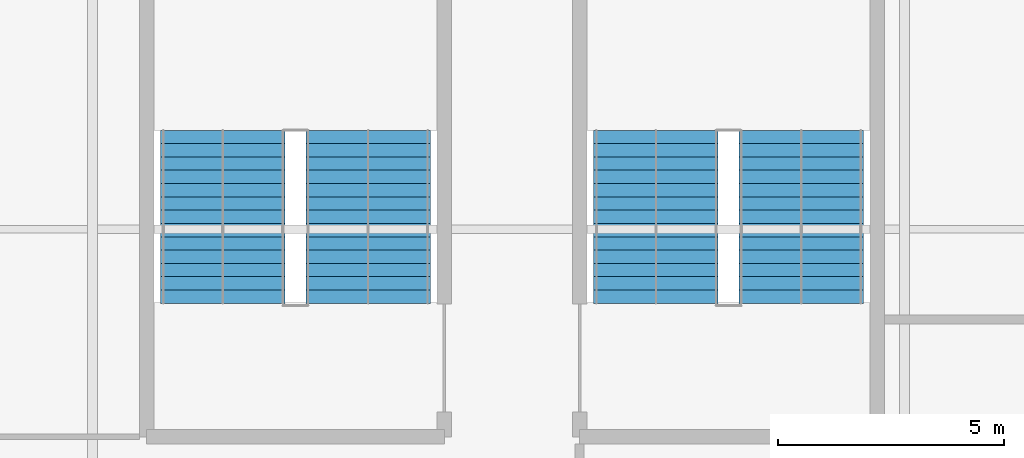
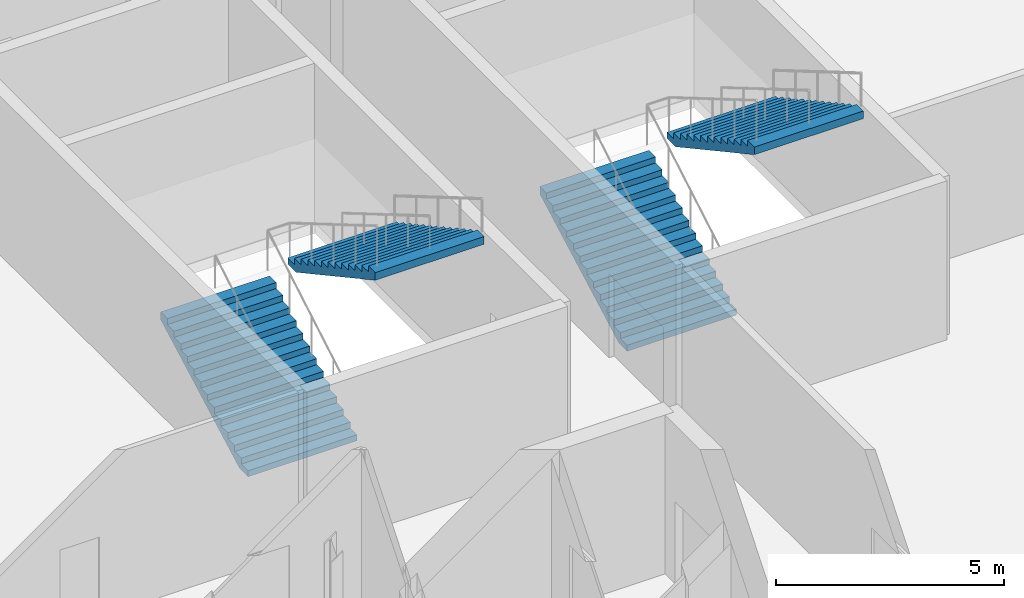
# One storey, part 18 of 28: 4 stair flights, 2 elements without a shape of their own.
"""IFC4 building model written with IfcOpenShell, lengths in metres."""

from ifc_helpers import new_model, si_unit, direction, frame, origin, place, context, subcontext, project, spatial, polygons, material, type_object, element, aggregate, save


model = new_model("IFC4")

# Units and contexts
model_context = context("Model", 3, precision=1e-05, world=origin(), true_north=direction((0.0, 1.0)))
body_context = subcontext(model_context, "Body", "Model", "MODEL_VIEW")
ifc_project = project(units=[si_unit("LENGTHUNIT", "METRE"), si_unit("AREAUNIT", "SQUARE_METRE"), si_unit("VOLUMEUNIT", "CUBIC_METRE"), si_unit("PLANEANGLEUNIT", "RADIAN"), si_unit("MASSUNIT", "GRAM", prefix="KILO")], contexts=[model_context])

# Site, building, storey
site_placement = place(None, origin())
site = spatial("IfcSite", under=ifc_project, at=site_placement, CompositionType="ELEMENT")
building_placement = place(site_placement, origin())
building = spatial("IfcBuilding", under=site, at=building_placement, Name="Kisiwana Market Hall", CompositionType="ELEMENT")
storey_placement = place(building_placement, frame((0.0, 0.0, 49.5)))
storey = spatial("IfcBuildingStorey", under=building, at=storey_placement, Name="L11", CompositionType="ELEMENT", Elevation=49.5)

# Stair, stair flights
ifc_material_1 = material(Name="Concrete C32/40", Category="concrete")
stair_type = type_object("IfcStairType", Name="ST-ESC-4500", PredefinedType="TWO_STRAIGHT_RUN_STAIR", material=ifc_material_1)
stair_1_placement = place(storey_placement, origin())
stair_1 = element("IfcStair", 1, at=stair_1_placement, inside=storey, type_object=stair_type, Name="Escape stair ST-W3-L11", PredefinedType="TWO_STRAIGHT_RUN_STAIR")
ifc_material_2 = material(Name="Concrete C32/40", Category="concrete")
stair_flight_type = type_object("IfcStairFlightType", Name="SF-ESC-4500", PredefinedType="STRAIGHT", material=ifc_material_2)
stair_flight_1_placement = place(storey_placement, frame((11.889892578125, 42.360107421875, 0.0), z_axis=(0.0, 0.0, 1.0), x_axis=(0.0, 1.0, 0.0)))
stair_flight_1 = element("IfcStairFlight", 2, at=stair_flight_1_placement, type_object=stair_flight_type, Name="ST-W3-L11 flight 1", NumberOfRisers=14, NumberOfTreads=13, PredefinedType="STRAIGHT", RiserHeight=0.160714, TreadLength=0.295, context=body_context, shape_type="Tessellation", body=[
    polygons([(0.0, -1.380127, 0.0), (0.0, -0.690125, 0.0), (0.0, -0.000122, 0.0), (0.0, 0.68988, 0.0), (0.0, 1.379883, 0.0), (0.0, -1.380127, 0.160645), (0.0, -0.690125, 0.160645), (0.0, -0.000122, 0.160645), (0.0, 0.68988, 0.160645), (0.0, 1.379883, 0.160645), (0.294922, -1.380127, 0.160645), (0.294922, -0.690125, 0.160645), (0.294922, -0.000122, 0.160645), (0.294922, 0.68988, 0.160645), (0.294922, 1.379883, 0.160645), (0.294922, -1.380127, 0.321533), (0.294922, -0.690125, 0.321533), (0.294922, -0.000122, 0.321533), (0.294922, 0.68988, 0.321533), (0.294922, 1.379883, 0.321533), (0.590088, -1.380127, 0.321533), (0.590088, -0.690125, 0.321533), (0.590088, -0.000122, 0.321533), (0.590088, 0.68988, 0.321533), (0.590088, 1.379883, 0.321533), (0.590088, -1.380127, 0.482178), (0.590088, -0.690125, 0.482178), (0.590088, -0.000122, 0.482178), (0.590088, 0.68988, 0.482178), (0.590088, 1.379883, 0.482178), (0.88501, -1.380127, 0.482178), (0.88501, -0.690125, 0.482178), (0.88501, -0.000122, 0.482178), (0.88501, 0.68988, 0.482178), (0.88501, 1.379883, 0.482178), (0.88501, -1.380127, 0.642822), (0.88501, -0.690125, 0.642822), (0.88501, -0.000122, 0.642822), (0.88501, 0.68988, 0.642822), (0.88501, 1.379883, 0.642822), (1.179932, -1.380127, 0.642822), (1.179932, -0.690125, 0.642822), (1.179932, -0.000122, 0.642822), (1.179932, 0.68988, 0.642822), (1.179932, 1.379883, 0.642822), (1.179932, -1.380127, 0.803467), (1.179932, -0.690125, 0.803467), (1.179932, -0.000122, 0.803467), (1.179932, 0.68988, 0.803467), (1.179932, 1.379883, 0.803467), (1.475098, -1.380127, 0.803467), (1.475098, -0.690125, 0.803467), (1.475098, -0.000122, 0.803467), (1.475098, 0.68988, 0.803467), (1.475098, 1.379883, 0.803467), (1.475098, -1.380127, 0.964355), (1.475098, -0.690125, 0.964355), (1.475098, -0.000122, 0.964355), (1.475098, 0.68988, 0.964355), (1.475098, 1.379883, 0.964355), (1.77002, -1.380127, 0.964355), (1.77002, -0.690125, 0.964355), (1.77002, -0.000122, 0.964355), (1.77002, 0.68988, 0.964355), (1.77002, 1.379883, 0.964355), (1.77002, -1.380127, 1.125), (1.77002, -0.690125, 1.125), (1.77002, -0.000122, 1.125), (1.77002, 0.68988, 1.125), (1.77002, 1.379883, 1.125), (2.064941, -1.380127, 1.125), (2.064941, -0.690125, 1.125), (2.064941, -0.000122, 1.125), (2.064941, 0.68988, 1.125), (2.064941, 1.379883, 1.125), (2.064941, -1.380127, 1.285645), (2.064941, -0.690125, 1.285645), (2.064941, -0.000122, 1.285645), (2.064941, 0.68988, 1.285645), (2.064941, 1.379883, 1.285645), (2.360107, -1.380127, 1.285645), (2.360107, -0.690125, 1.285645), (2.360107, -0.000122, 1.285645), (2.360107, 0.68988, 1.285645), (2.360107, 1.379883, 1.285645), (2.360107, -1.380127, 1.446533), (2.360107, -0.690125, 1.446533), (2.360107, -0.000122, 1.446533), (2.360107, 0.68988, 1.446533), (2.360107, 1.379883, 1.446533), (2.655029, -1.380127, 1.446533), (2.655029, -0.690125, 1.446533), (2.655029, -0.000122, 1.446533), (2.655029, 0.68988, 1.446533), (2.655029, 1.379883, 1.446533), (2.655029, -1.380127, 1.607178), (2.655029, -0.690125, 1.607178), (2.655029, -0.000122, 1.607178), (2.655029, 0.68988, 1.607178), (2.655029, 1.379883, 1.607178), (2.949951, -1.380127, 1.607178), (2.949951, -0.690125, 1.607178), (2.949951, -0.000122, 1.607178), (2.949951, 0.68988, 1.607178), (2.949951, 1.379883, 1.607178), (2.949951, -1.380127, 1.767822), (2.949951, -0.690125, 1.767822), (2.949951, -0.000122, 1.767822), (2.949951, 0.68988, 1.767822), (2.949951, 1.379883, 1.767822), (3.245117, -1.380127, 1.767822), (3.245117, -0.690125, 1.767822), (3.245117, -0.000122, 1.767822), (3.245117, 0.68988, 1.767822), (3.245117, 1.379883, 1.767822), (3.245117, -1.380127, 1.928467), (3.245117, -0.690125, 1.928467), (3.245117, -0.000122, 1.928467), (3.245117, 0.68988, 1.928467), (3.245117, 1.379883, 1.928467), (3.540039, -1.380127, 1.928467), (3.540039, -0.690125, 1.928467), (3.540039, -0.000122, 1.928467), (3.540039, 0.68988, 1.928467), (3.540039, 1.379883, 1.928467), (3.540039, -1.380127, 2.089355), (3.540039, -0.690125, 2.089355), (3.540039, -0.000122, 2.089355), (3.540039, 0.68988, 2.089355), (3.540039, 1.379883, 2.089355), (3.834961, -1.380127, 2.089355), (3.834961, -0.690125, 2.089355), (3.834961, -0.000122, 2.089355), (3.834961, 0.68988, 2.089355), (3.834961, 1.379883, 2.089355), (3.834961, -1.380127, 1.884277), (3.834961, -0.690125, 1.884277), (3.834961, -0.000122, 1.884277), (3.834961, 0.68988, 1.884277), (3.834961, 1.379883, 1.884277), (0.376221, -1.380127, 0.0), (0.376221, -0.690125, 0.0), (0.376221, -0.000122, 0.0), (0.376221, 0.68988, 0.0), (0.376221, 1.379883, 0.0)], [[[1, 6, 7, 2]], [[2, 7, 8, 3]], [[3, 8, 9, 4]], [[4, 9, 10, 5]], [[6, 11, 12, 7]], [[7, 12, 13, 8]], [[8, 13, 14, 9]], [[9, 14, 15, 10]], [[11, 16, 17, 12]], [[12, 17, 18, 13]], [[13, 18, 19, 14]], [[14, 19, 20, 15]], [[16, 21, 22, 17]], [[17, 22, 23, 18]], [[18, 23, 24, 19]], [[19, 24, 25, 20]], [[21, 26, 27, 22]], [[22, 27, 28, 23]], [[23, 28, 29, 24]], [[24, 29, 30, 25]], [[26, 31, 32, 27]], [[27, 32, 33, 28]], [[28, 33, 34, 29]], [[29, 34, 35, 30]], [[31, 36, 37, 32]], [[32, 37, 38, 33]], [[33, 38, 39, 34]], [[34, 39, 40, 35]], [[36, 41, 42, 37]], [[37, 42, 43, 38]], [[38, 43, 44, 39]], [[39, 44, 45, 40]], [[41, 46, 47, 42]], [[42, 47, 48, 43]], [[43, 48, 49, 44]], [[44, 49, 50, 45]], [[46, 51, 52, 47]], [[47, 52, 53, 48]], [[48, 53, 54, 49]], [[49, 54, 55, 50]], [[51, 56, 57, 52]], [[52, 57, 58, 53]], [[53, 58, 59, 54]], [[54, 59, 60, 55]], [[56, 61, 62, 57]], [[57, 62, 63, 58]], [[58, 63, 64, 59]], [[59, 64, 65, 60]], [[61, 66, 67, 62]], [[62, 67, 68, 63]], [[63, 68, 69, 64]], [[64, 69, 70, 65]], [[66, 71, 72, 67]], [[67, 72, 73, 68]], [[68, 73, 74, 69]], [[69, 74, 75, 70]], [[71, 76, 77, 72]], [[72, 77, 78, 73]], [[73, 78, 79, 74]], [[74, 79, 80, 75]], [[76, 81, 82, 77]], [[77, 82, 83, 78]], [[78, 83, 84, 79]], [[79, 84, 85, 80]], [[81, 86, 87, 82]], [[82, 87, 88, 83]], [[83, 88, 89, 84]], [[84, 89, 90, 85]], [[86, 91, 92, 87]], [[87, 92, 93, 88]], [[88, 93, 94, 89]], [[89, 94, 95, 90]], [[91, 96, 97, 92]], [[92, 97, 98, 93]], [[93, 98, 99, 94]], [[94, 99, 100, 95]], [[96, 101, 102, 97]], [[97, 102, 103, 98]], [[98, 103, 104, 99]], [[99, 104, 105, 100]], [[101, 106, 107, 102]], [[102, 107, 108, 103]], [[103, 108, 109, 104]], [[104, 109, 110, 105]], [[106, 111, 112, 107]], [[107, 112, 113, 108]], [[108, 113, 114, 109]], [[109, 114, 115, 110]], [[111, 116, 117, 112]], [[112, 117, 118, 113]], [[113, 118, 119, 114]], [[114, 119, 120, 115]], [[116, 121, 122, 117]], [[117, 122, 123, 118]], [[118, 123, 124, 119]], [[119, 124, 125, 120]], [[121, 126, 127, 122]], [[122, 127, 128, 123]], [[123, 128, 129, 124]], [[124, 129, 130, 125]], [[126, 131, 132, 127]], [[127, 132, 133, 128]], [[128, 133, 134, 129]], [[129, 134, 135, 130]], [[131, 136, 137, 132]], [[132, 137, 138, 133]], [[133, 138, 139, 134]], [[134, 139, 140, 135]], [[136, 141, 142, 137]], [[137, 142, 143, 138]], [[138, 143, 144, 139]], [[139, 144, 145, 140]], [[141, 1, 2, 142]], [[142, 2, 3, 143]], [[143, 3, 4, 144]], [[144, 4, 5, 145]], [[141, 136, 131, 126, 121, 116, 111, 106, 101, 96, 91, 86, 81, 76, 71, 66, 61, 56, 51, 46, 41, 36, 31, 26, 21, 16, 11, 6, 1]], [[5, 10, 15, 20, 25, 30, 35, 40, 45, 50, 55, 60, 65, 70, 75, 80, 85, 90, 95, 100, 105, 110, 115, 120, 125, 130, 135, 140, 145]]], closed=True),
])
stair_flight_2_placement = place(storey_placement, frame((15.110107421875, 46.195068359375, 2.25), z_axis=(0.0, 0.0, 1.0), x_axis=(0.0, -1.0, 0.0)))
stair_flight_2 = element("IfcStairFlight", 3, at=stair_flight_2_placement, type_object=stair_flight_type, Name="ST-W3-L11 flight 2", NumberOfRisers=14, NumberOfTreads=13, PredefinedType="STRAIGHT", RiserHeight=0.160714, TreadLength=0.295, context=body_context, shape_type="Tessellation", body=[
    polygons([(0.0, -1.380127, 0.0), (0.0, -0.690125, 0.0), (0.0, -0.000122, 0.0), (0.0, 0.68988, 0.0), (0.0, 1.379883, 0.0), (0.0, -1.380127, 0.160645), (0.0, -0.690125, 0.160645), (0.0, -0.000122, 0.160645), (0.0, 0.68988, 0.160645), (0.0, 1.379883, 0.160645), (0.294922, -1.380127, 0.160645), (0.294922, -0.690125, 0.160645), (0.294922, -0.000122, 0.160645), (0.294922, 0.68988, 0.160645), (0.294922, 1.379883, 0.160645), (0.294922, -1.380127, 0.321533), (0.294922, -0.690125, 0.321533), (0.294922, -0.000122, 0.321533), (0.294922, 0.68988, 0.321533), (0.294922, 1.379883, 0.321533), (0.590088, -1.380127, 0.321533), (0.590088, -0.690125, 0.321533), (0.590088, -0.000122, 0.321533), (0.590088, 0.68988, 0.321533), (0.590088, 1.379883, 0.321533), (0.590088, -1.380127, 0.482178), (0.590088, -0.690125, 0.482178), (0.590088, -0.000122, 0.482178), (0.590088, 0.68988, 0.482178), (0.590088, 1.379883, 0.482178), (0.88501, -1.380127, 0.482178), (0.88501, -0.690125, 0.482178), (0.88501, -0.000122, 0.482178), (0.88501, 0.68988, 0.482178), (0.88501, 1.379883, 0.482178), (0.88501, -1.380127, 0.642822), (0.88501, -0.690125, 0.642822), (0.88501, -0.000122, 0.642822), (0.88501, 0.68988, 0.642822), (0.88501, 1.379883, 0.642822), (1.179932, -1.380127, 0.642822), (1.179932, -0.690125, 0.642822), (1.179932, -0.000122, 0.642822), (1.179932, 0.68988, 0.642822), (1.179932, 1.379883, 0.642822), (1.179932, -1.380127, 0.803467), (1.179932, -0.690125, 0.803467), (1.179932, -0.000122, 0.803467), (1.179932, 0.68988, 0.803467), (1.179932, 1.379883, 0.803467), (1.475098, -1.380127, 0.803467), (1.475098, -0.690125, 0.803467), (1.475098, -0.000122, 0.803467), (1.475098, 0.68988, 0.803467), (1.475098, 1.379883, 0.803467), (1.475098, -1.380127, 0.964355), (1.475098, -0.690125, 0.964355), (1.475098, -0.000122, 0.964355), (1.475098, 0.68988, 0.964355), (1.475098, 1.379883, 0.964355), (1.77002, -1.380127, 0.964355), (1.77002, -0.690125, 0.964355), (1.77002, -0.000122, 0.964355), (1.77002, 0.68988, 0.964355), (1.77002, 1.379883, 0.964355), (1.77002, -1.380127, 1.125), (1.77002, -0.690125, 1.125), (1.77002, -0.000122, 1.125), (1.77002, 0.68988, 1.125), (1.77002, 1.379883, 1.125), (2.064941, -1.380127, 1.125), (2.064941, -0.690125, 1.125), (2.064941, -0.000122, 1.125), (2.064941, 0.68988, 1.125), (2.064941, 1.379883, 1.125), (2.064941, -1.380127, 1.285645), (2.064941, -0.690125, 1.285645), (2.064941, -0.000122, 1.285645), (2.064941, 0.68988, 1.285645), (2.064941, 1.379883, 1.285645), (2.360107, -1.380127, 1.285645), (2.360107, -0.690125, 1.285645), (2.360107, -0.000122, 1.285645), (2.360107, 0.68988, 1.285645), (2.360107, 1.379883, 1.285645), (2.360107, -1.380127, 1.446533), (2.360107, -0.690125, 1.446533), (2.360107, -0.000122, 1.446533), (2.360107, 0.68988, 1.446533), (2.360107, 1.379883, 1.446533), (2.655029, -1.380127, 1.446533), (2.655029, -0.690125, 1.446533), (2.655029, -0.000122, 1.446533), (2.655029, 0.68988, 1.446533), (2.655029, 1.379883, 1.446533), (2.655029, -1.380127, 1.607178), (2.655029, -0.690125, 1.607178), (2.655029, -0.000122, 1.607178), (2.655029, 0.68988, 1.607178), (2.655029, 1.379883, 1.607178), (2.949951, -1.380127, 1.607178), (2.949951, -0.690125, 1.607178), (2.949951, -0.000122, 1.607178), (2.949951, 0.68988, 1.607178), (2.949951, 1.379883, 1.607178), (2.949951, -1.380127, 1.767822), (2.949951, -0.690125, 1.767822), (2.949951, -0.000122, 1.767822), (2.949951, 0.68988, 1.767822), (2.949951, 1.379883, 1.767822), (3.245117, -1.380127, 1.767822), (3.245117, -0.690125, 1.767822), (3.245117, -0.000122, 1.767822), (3.245117, 0.68988, 1.767822), (3.245117, 1.379883, 1.767822), (3.245117, -1.380127, 1.928467), (3.245117, -0.690125, 1.928467), (3.245117, -0.000122, 1.928467), (3.245117, 0.68988, 1.928467), (3.245117, 1.379883, 1.928467), (3.540039, -1.380127, 1.928467), (3.540039, -0.690125, 1.928467), (3.540039, -0.000122, 1.928467), (3.540039, 0.68988, 1.928467), (3.540039, 1.379883, 1.928467), (3.540039, -1.380127, 2.089355), (3.540039, -0.690125, 2.089355), (3.540039, -0.000122, 2.089355), (3.540039, 0.68988, 2.089355), (3.540039, 1.379883, 2.089355), (3.834961, -1.380127, 2.089355), (3.834961, -0.690125, 2.089355), (3.834961, -0.000122, 2.089355), (3.834961, 0.68988, 2.089355), (3.834961, 1.379883, 2.089355), (3.834961, -1.380127, 1.884277), (3.834961, -0.690125, 1.884277), (3.834961, -0.000122, 1.884277), (3.834961, 0.68988, 1.884277), (3.834961, 1.379883, 1.884277), (0.376221, -1.380127, 0.0), (0.376221, -0.690125, 0.0), (0.376221, -0.000122, 0.0), (0.376221, 0.68988, 0.0), (0.376221, 1.379883, 0.0)], [[[1, 6, 7, 2]], [[2, 7, 8, 3]], [[3, 8, 9, 4]], [[4, 9, 10, 5]], [[6, 11, 12, 7]], [[7, 12, 13, 8]], [[8, 13, 14, 9]], [[9, 14, 15, 10]], [[11, 16, 17, 12]], [[12, 17, 18, 13]], [[13, 18, 19, 14]], [[14, 19, 20, 15]], [[16, 21, 22, 17]], [[17, 22, 23, 18]], [[18, 23, 24, 19]], [[19, 24, 25, 20]], [[21, 26, 27, 22]], [[22, 27, 28, 23]], [[23, 28, 29, 24]], [[24, 29, 30, 25]], [[26, 31, 32, 27]], [[27, 32, 33, 28]], [[28, 33, 34, 29]], [[29, 34, 35, 30]], [[31, 36, 37, 32]], [[32, 37, 38, 33]], [[33, 38, 39, 34]], [[34, 39, 40, 35]], [[36, 41, 42, 37]], [[37, 42, 43, 38]], [[38, 43, 44, 39]], [[39, 44, 45, 40]], [[41, 46, 47, 42]], [[42, 47, 48, 43]], [[43, 48, 49, 44]], [[44, 49, 50, 45]], [[46, 51, 52, 47]], [[47, 52, 53, 48]], [[48, 53, 54, 49]], [[49, 54, 55, 50]], [[51, 56, 57, 52]], [[52, 57, 58, 53]], [[53, 58, 59, 54]], [[54, 59, 60, 55]], [[56, 61, 62, 57]], [[57, 62, 63, 58]], [[58, 63, 64, 59]], [[59, 64, 65, 60]], [[61, 66, 67, 62]], [[62, 67, 68, 63]], [[63, 68, 69, 64]], [[64, 69, 70, 65]], [[66, 71, 72, 67]], [[67, 72, 73, 68]], [[68, 73, 74, 69]], [[69, 74, 75, 70]], [[71, 76, 77, 72]], [[72, 77, 78, 73]], [[73, 78, 79, 74]], [[74, 79, 80, 75]], [[76, 81, 82, 77]], [[77, 82, 83, 78]], [[78, 83, 84, 79]], [[79, 84, 85, 80]], [[81, 86, 87, 82]], [[82, 87, 88, 83]], [[83, 88, 89, 84]], [[84, 89, 90, 85]], [[86, 91, 92, 87]], [[87, 92, 93, 88]], [[88, 93, 94, 89]], [[89, 94, 95, 90]], [[91, 96, 97, 92]], [[92, 97, 98, 93]], [[93, 98, 99, 94]], [[94, 99, 100, 95]], [[96, 101, 102, 97]], [[97, 102, 103, 98]], [[98, 103, 104, 99]], [[99, 104, 105, 100]], [[101, 106, 107, 102]], [[102, 107, 108, 103]], [[103, 108, 109, 104]], [[104, 109, 110, 105]], [[106, 111, 112, 107]], [[107, 112, 113, 108]], [[108, 113, 114, 109]], [[109, 114, 115, 110]], [[111, 116, 117, 112]], [[112, 117, 118, 113]], [[113, 118, 119, 114]], [[114, 119, 120, 115]], [[116, 121, 122, 117]], [[117, 122, 123, 118]], [[118, 123, 124, 119]], [[119, 124, 125, 120]], [[121, 126, 127, 122]], [[122, 127, 128, 123]], [[123, 128, 129, 124]], [[124, 129, 130, 125]], [[126, 131, 132, 127]], [[127, 132, 133, 128]], [[128, 133, 134, 129]], [[129, 134, 135, 130]], [[131, 136, 137, 132]], [[132, 137, 138, 133]], [[133, 138, 139, 134]], [[134, 139, 140, 135]], [[136, 141, 142, 137]], [[137, 142, 143, 138]], [[138, 143, 144, 139]], [[139, 144, 145, 140]], [[141, 1, 2, 142]], [[142, 2, 3, 143]], [[143, 3, 4, 144]], [[144, 4, 5, 145]], [[141, 136, 131, 126, 121, 116, 111, 106, 101, 96, 91, 86, 81, 76, 71, 66, 61, 56, 51, 46, 41, 36, 31, 26, 21, 16, 11, 6, 1]], [[5, 10, 15, 20, 25, 30, 35, 40, 45, 50, 55, 60, 65, 70, 75, 80, 85, 90, 95, 100, 105, 110, 115, 120, 125, 130, 135, 140, 145]]], closed=True),
])
aggregate(stair_1, [stair_flight_1, stair_flight_2])

stair_2_placement = place(storey_placement, origin())
stair_2 = element("IfcStair", 4, at=stair_2_placement, inside=storey, type_object=stair_type, Name="Escape stair ST-W7-L11", PredefinedType="TWO_STRAIGHT_RUN_STAIR")
stair_flight_3_placement = place(storey_placement, frame((21.489990234375, 42.360107421875, 0.0), z_axis=(0.0, 0.0, 1.0), x_axis=(0.0, 1.0, 0.0)))
stair_flight_3 = element("IfcStairFlight", 5, at=stair_flight_3_placement, type_object=stair_flight_type, Name="ST-W7-L11 flight 1", NumberOfRisers=14, NumberOfTreads=13, PredefinedType="STRAIGHT", RiserHeight=0.160714, TreadLength=0.295, context=body_context, shape_type="Tessellation", body=[
    polygons([(0.0, -1.380127, 0.0), (0.0, -0.690125, 0.0), (0.0, -0.000122, 0.0), (0.0, 0.68988, 0.0), (0.0, 1.379883, 0.0), (0.0, -1.380127, 0.160645), (0.0, -0.690125, 0.160645), (0.0, -0.000122, 0.160645), (0.0, 0.68988, 0.160645), (0.0, 1.379883, 0.160645), (0.294922, -1.380127, 0.160645), (0.294922, -0.690125, 0.160645), (0.294922, -0.000122, 0.160645), (0.294922, 0.68988, 0.160645), (0.294922, 1.379883, 0.160645), (0.294922, -1.380127, 0.321533), (0.294922, -0.690125, 0.321533), (0.294922, -0.000122, 0.321533), (0.294922, 0.68988, 0.321533), (0.294922, 1.379883, 0.321533), (0.590088, -1.380127, 0.321533), (0.590088, -0.690125, 0.321533), (0.590088, -0.000122, 0.321533), (0.590088, 0.68988, 0.321533), (0.590088, 1.379883, 0.321533), (0.590088, -1.380127, 0.482178), (0.590088, -0.690125, 0.482178), (0.590088, -0.000122, 0.482178), (0.590088, 0.68988, 0.482178), (0.590088, 1.379883, 0.482178), (0.88501, -1.380127, 0.482178), (0.88501, -0.690125, 0.482178), (0.88501, -0.000122, 0.482178), (0.88501, 0.68988, 0.482178), (0.88501, 1.379883, 0.482178), (0.88501, -1.380127, 0.642822), (0.88501, -0.690125, 0.642822), (0.88501, -0.000122, 0.642822), (0.88501, 0.68988, 0.642822), (0.88501, 1.379883, 0.642822), (1.179932, -1.380127, 0.642822), (1.179932, -0.690125, 0.642822), (1.179932, -0.000122, 0.642822), (1.179932, 0.68988, 0.642822), (1.179932, 1.379883, 0.642822), (1.179932, -1.380127, 0.803467), (1.179932, -0.690125, 0.803467), (1.179932, -0.000122, 0.803467), (1.179932, 0.68988, 0.803467), (1.179932, 1.379883, 0.803467), (1.475098, -1.380127, 0.803467), (1.475098, -0.690125, 0.803467), (1.475098, -0.000122, 0.803467), (1.475098, 0.68988, 0.803467), (1.475098, 1.379883, 0.803467), (1.475098, -1.380127, 0.964355), (1.475098, -0.690125, 0.964355), (1.475098, -0.000122, 0.964355), (1.475098, 0.68988, 0.964355), (1.475098, 1.379883, 0.964355), (1.77002, -1.380127, 0.964355), (1.77002, -0.690125, 0.964355), (1.77002, -0.000122, 0.964355), (1.77002, 0.68988, 0.964355), (1.77002, 1.379883, 0.964355), (1.77002, -1.380127, 1.125), (1.77002, -0.690125, 1.125), (1.77002, -0.000122, 1.125), (1.77002, 0.68988, 1.125), (1.77002, 1.379883, 1.125), (2.064941, -1.380127, 1.125), (2.064941, -0.690125, 1.125), (2.064941, -0.000122, 1.125), (2.064941, 0.68988, 1.125), (2.064941, 1.379883, 1.125), (2.064941, -1.380127, 1.285645), (2.064941, -0.690125, 1.285645), (2.064941, -0.000122, 1.285645), (2.064941, 0.68988, 1.285645), (2.064941, 1.379883, 1.285645), (2.360107, -1.380127, 1.285645), (2.360107, -0.690125, 1.285645), (2.360107, -0.000122, 1.285645), (2.360107, 0.68988, 1.285645), (2.360107, 1.379883, 1.285645), (2.360107, -1.380127, 1.446533), (2.360107, -0.690125, 1.446533), (2.360107, -0.000122, 1.446533), (2.360107, 0.68988, 1.446533), (2.360107, 1.379883, 1.446533), (2.655029, -1.380127, 1.446533), (2.655029, -0.690125, 1.446533), (2.655029, -0.000122, 1.446533), (2.655029, 0.68988, 1.446533), (2.655029, 1.379883, 1.446533), (2.655029, -1.380127, 1.607178), (2.655029, -0.690125, 1.607178), (2.655029, -0.000122, 1.607178), (2.655029, 0.68988, 1.607178), (2.655029, 1.379883, 1.607178), (2.949951, -1.380127, 1.607178), (2.949951, -0.690125, 1.607178), (2.949951, -0.000122, 1.607178), (2.949951, 0.68988, 1.607178), (2.949951, 1.379883, 1.607178), (2.949951, -1.380127, 1.767822), (2.949951, -0.690125, 1.767822), (2.949951, -0.000122, 1.767822), (2.949951, 0.68988, 1.767822), (2.949951, 1.379883, 1.767822), (3.245117, -1.380127, 1.767822), (3.245117, -0.690125, 1.767822), (3.245117, -0.000122, 1.767822), (3.245117, 0.68988, 1.767822), (3.245117, 1.379883, 1.767822), (3.245117, -1.380127, 1.928467), (3.245117, -0.690125, 1.928467), (3.245117, -0.000122, 1.928467), (3.245117, 0.68988, 1.928467), (3.245117, 1.379883, 1.928467), (3.540039, -1.380127, 1.928467), (3.540039, -0.690125, 1.928467), (3.540039, -0.000122, 1.928467), (3.540039, 0.68988, 1.928467), (3.540039, 1.379883, 1.928467), (3.540039, -1.380127, 2.089355), (3.540039, -0.690125, 2.089355), (3.540039, -0.000122, 2.089355), (3.540039, 0.68988, 2.089355), (3.540039, 1.379883, 2.089355), (3.834961, -1.380127, 2.089355), (3.834961, -0.690125, 2.089355), (3.834961, -0.000122, 2.089355), (3.834961, 0.68988, 2.089355), (3.834961, 1.379883, 2.089355), (3.834961, -1.380127, 1.884277), (3.834961, -0.690125, 1.884277), (3.834961, -0.000122, 1.884277), (3.834961, 0.68988, 1.884277), (3.834961, 1.379883, 1.884277), (0.376221, -1.380127, 0.0), (0.376221, -0.690125, 0.0), (0.376221, -0.000122, 0.0), (0.376221, 0.68988, 0.0), (0.376221, 1.379883, 0.0)], [[[1, 6, 7, 2]], [[2, 7, 8, 3]], [[3, 8, 9, 4]], [[4, 9, 10, 5]], [[6, 11, 12, 7]], [[7, 12, 13, 8]], [[8, 13, 14, 9]], [[9, 14, 15, 10]], [[11, 16, 17, 12]], [[12, 17, 18, 13]], [[13, 18, 19, 14]], [[14, 19, 20, 15]], [[16, 21, 22, 17]], [[17, 22, 23, 18]], [[18, 23, 24, 19]], [[19, 24, 25, 20]], [[21, 26, 27, 22]], [[22, 27, 28, 23]], [[23, 28, 29, 24]], [[24, 29, 30, 25]], [[26, 31, 32, 27]], [[27, 32, 33, 28]], [[28, 33, 34, 29]], [[29, 34, 35, 30]], [[31, 36, 37, 32]], [[32, 37, 38, 33]], [[33, 38, 39, 34]], [[34, 39, 40, 35]], [[36, 41, 42, 37]], [[37, 42, 43, 38]], [[38, 43, 44, 39]], [[39, 44, 45, 40]], [[41, 46, 47, 42]], [[42, 47, 48, 43]], [[43, 48, 49, 44]], [[44, 49, 50, 45]], [[46, 51, 52, 47]], [[47, 52, 53, 48]], [[48, 53, 54, 49]], [[49, 54, 55, 50]], [[51, 56, 57, 52]], [[52, 57, 58, 53]], [[53, 58, 59, 54]], [[54, 59, 60, 55]], [[56, 61, 62, 57]], [[57, 62, 63, 58]], [[58, 63, 64, 59]], [[59, 64, 65, 60]], [[61, 66, 67, 62]], [[62, 67, 68, 63]], [[63, 68, 69, 64]], [[64, 69, 70, 65]], [[66, 71, 72, 67]], [[67, 72, 73, 68]], [[68, 73, 74, 69]], [[69, 74, 75, 70]], [[71, 76, 77, 72]], [[72, 77, 78, 73]], [[73, 78, 79, 74]], [[74, 79, 80, 75]], [[76, 81, 82, 77]], [[77, 82, 83, 78]], [[78, 83, 84, 79]], [[79, 84, 85, 80]], [[81, 86, 87, 82]], [[82, 87, 88, 83]], [[83, 88, 89, 84]], [[84, 89, 90, 85]], [[86, 91, 92, 87]], [[87, 92, 93, 88]], [[88, 93, 94, 89]], [[89, 94, 95, 90]], [[91, 96, 97, 92]], [[92, 97, 98, 93]], [[93, 98, 99, 94]], [[94, 99, 100, 95]], [[96, 101, 102, 97]], [[97, 102, 103, 98]], [[98, 103, 104, 99]], [[99, 104, 105, 100]], [[101, 106, 107, 102]], [[102, 107, 108, 103]], [[103, 108, 109, 104]], [[104, 109, 110, 105]], [[106, 111, 112, 107]], [[107, 112, 113, 108]], [[108, 113, 114, 109]], [[109, 114, 115, 110]], [[111, 116, 117, 112]], [[112, 117, 118, 113]], [[113, 118, 119, 114]], [[114, 119, 120, 115]], [[116, 121, 122, 117]], [[117, 122, 123, 118]], [[118, 123, 124, 119]], [[119, 124, 125, 120]], [[121, 126, 127, 122]], [[122, 127, 128, 123]], [[123, 128, 129, 124]], [[124, 129, 130, 125]], [[126, 131, 132, 127]], [[127, 132, 133, 128]], [[128, 133, 134, 129]], [[129, 134, 135, 130]], [[131, 136, 137, 132]], [[132, 137, 138, 133]], [[133, 138, 139, 134]], [[134, 139, 140, 135]], [[136, 141, 142, 137]], [[137, 142, 143, 138]], [[138, 143, 144, 139]], [[139, 144, 145, 140]], [[141, 1, 2, 142]], [[142, 2, 3, 143]], [[143, 3, 4, 144]], [[144, 4, 5, 145]], [[141, 136, 131, 126, 121, 116, 111, 106, 101, 96, 91, 86, 81, 76, 71, 66, 61, 56, 51, 46, 41, 36, 31, 26, 21, 16, 11, 6, 1]], [[5, 10, 15, 20, 25, 30, 35, 40, 45, 50, 55, 60, 65, 70, 75, 80, 85, 90, 95, 100, 105, 110, 115, 120, 125, 130, 135, 140, 145]]], closed=True),
])
stair_flight_4_placement = place(storey_placement, frame((24.7099609375, 46.195068359375, 2.25), z_axis=(0.0, 0.0, 1.0), x_axis=(0.0, -1.0, 0.0)))
stair_flight_4 = element("IfcStairFlight", 6, at=stair_flight_4_placement, type_object=stair_flight_type, Name="ST-W7-L11 flight 2", NumberOfRisers=14, NumberOfTreads=13, PredefinedType="STRAIGHT", RiserHeight=0.160714, TreadLength=0.295, context=body_context, shape_type="Tessellation", body=[
    polygons([(0.0, -1.380127, 0.0), (0.0, -0.690125, 0.0), (0.0, -0.000122, 0.0), (0.0, 0.68988, 0.0), (0.0, 1.379883, 0.0), (0.0, -1.380127, 0.160645), (0.0, -0.690125, 0.160645), (0.0, -0.000122, 0.160645), (0.0, 0.68988, 0.160645), (0.0, 1.379883, 0.160645), (0.294922, -1.380127, 0.160645), (0.294922, -0.690125, 0.160645), (0.294922, -0.000122, 0.160645), (0.294922, 0.68988, 0.160645), (0.294922, 1.379883, 0.160645), (0.294922, -1.380127, 0.321533), (0.294922, -0.690125, 0.321533), (0.294922, -0.000122, 0.321533), (0.294922, 0.68988, 0.321533), (0.294922, 1.379883, 0.321533), (0.590088, -1.380127, 0.321533), (0.590088, -0.690125, 0.321533), (0.590088, -0.000122, 0.321533), (0.590088, 0.68988, 0.321533), (0.590088, 1.379883, 0.321533), (0.590088, -1.380127, 0.482178), (0.590088, -0.690125, 0.482178), (0.590088, -0.000122, 0.482178), (0.590088, 0.68988, 0.482178), (0.590088, 1.379883, 0.482178), (0.88501, -1.380127, 0.482178), (0.88501, -0.690125, 0.482178), (0.88501, -0.000122, 0.482178), (0.88501, 0.68988, 0.482178), (0.88501, 1.379883, 0.482178), (0.88501, -1.380127, 0.642822), (0.88501, -0.690125, 0.642822), (0.88501, -0.000122, 0.642822), (0.88501, 0.68988, 0.642822), (0.88501, 1.379883, 0.642822), (1.179932, -1.380127, 0.642822), (1.179932, -0.690125, 0.642822), (1.179932, -0.000122, 0.642822), (1.179932, 0.68988, 0.642822), (1.179932, 1.379883, 0.642822), (1.179932, -1.380127, 0.803467), (1.179932, -0.690125, 0.803467), (1.179932, -0.000122, 0.803467), (1.179932, 0.68988, 0.803467), (1.179932, 1.379883, 0.803467), (1.475098, -1.380127, 0.803467), (1.475098, -0.690125, 0.803467), (1.475098, -0.000122, 0.803467), (1.475098, 0.68988, 0.803467), (1.475098, 1.379883, 0.803467), (1.475098, -1.380127, 0.964355), (1.475098, -0.690125, 0.964355), (1.475098, -0.000122, 0.964355), (1.475098, 0.68988, 0.964355), (1.475098, 1.379883, 0.964355), (1.77002, -1.380127, 0.964355), (1.77002, -0.690125, 0.964355), (1.77002, -0.000122, 0.964355), (1.77002, 0.68988, 0.964355), (1.77002, 1.379883, 0.964355), (1.77002, -1.380127, 1.125), (1.77002, -0.690125, 1.125), (1.77002, -0.000122, 1.125), (1.77002, 0.68988, 1.125), (1.77002, 1.379883, 1.125), (2.064941, -1.380127, 1.125), (2.064941, -0.690125, 1.125), (2.064941, -0.000122, 1.125), (2.064941, 0.68988, 1.125), (2.064941, 1.379883, 1.125), (2.064941, -1.380127, 1.285645), (2.064941, -0.690125, 1.285645), (2.064941, -0.000122, 1.285645), (2.064941, 0.68988, 1.285645), (2.064941, 1.379883, 1.285645), (2.360107, -1.380127, 1.285645), (2.360107, -0.690125, 1.285645), (2.360107, -0.000122, 1.285645), (2.360107, 0.68988, 1.285645), (2.360107, 1.379883, 1.285645), (2.360107, -1.380127, 1.446533), (2.360107, -0.690125, 1.446533), (2.360107, -0.000122, 1.446533), (2.360107, 0.68988, 1.446533), (2.360107, 1.379883, 1.446533), (2.655029, -1.380127, 1.446533), (2.655029, -0.690125, 1.446533), (2.655029, -0.000122, 1.446533), (2.655029, 0.68988, 1.446533), (2.655029, 1.379883, 1.446533), (2.655029, -1.380127, 1.607178), (2.655029, -0.690125, 1.607178), (2.655029, -0.000122, 1.607178), (2.655029, 0.68988, 1.607178), (2.655029, 1.379883, 1.607178), (2.949951, -1.380127, 1.607178), (2.949951, -0.690125, 1.607178), (2.949951, -0.000122, 1.607178), (2.949951, 0.68988, 1.607178), (2.949951, 1.379883, 1.607178), (2.949951, -1.380127, 1.767822), (2.949951, -0.690125, 1.767822), (2.949951, -0.000122, 1.767822), (2.949951, 0.68988, 1.767822), (2.949951, 1.379883, 1.767822), (3.245117, -1.380127, 1.767822), (3.245117, -0.690125, 1.767822), (3.245117, -0.000122, 1.767822), (3.245117, 0.68988, 1.767822), (3.245117, 1.379883, 1.767822), (3.245117, -1.380127, 1.928467), (3.245117, -0.690125, 1.928467), (3.245117, -0.000122, 1.928467), (3.245117, 0.68988, 1.928467), (3.245117, 1.379883, 1.928467), (3.540039, -1.380127, 1.928467), (3.540039, -0.690125, 1.928467), (3.540039, -0.000122, 1.928467), (3.540039, 0.68988, 1.928467), (3.540039, 1.379883, 1.928467), (3.540039, -1.380127, 2.089355), (3.540039, -0.690125, 2.089355), (3.540039, -0.000122, 2.089355), (3.540039, 0.68988, 2.089355), (3.540039, 1.379883, 2.089355), (3.834961, -1.380127, 2.089355), (3.834961, -0.690125, 2.089355), (3.834961, -0.000122, 2.089355), (3.834961, 0.68988, 2.089355), (3.834961, 1.379883, 2.089355), (3.834961, -1.380127, 1.884277), (3.834961, -0.690125, 1.884277), (3.834961, -0.000122, 1.884277), (3.834961, 0.68988, 1.884277), (3.834961, 1.379883, 1.884277), (0.376221, -1.380127, 0.0), (0.376221, -0.690125, 0.0), (0.376221, -0.000122, 0.0), (0.376221, 0.68988, 0.0), (0.376221, 1.379883, 0.0)], [[[1, 6, 7, 2]], [[2, 7, 8, 3]], [[3, 8, 9, 4]], [[4, 9, 10, 5]], [[6, 11, 12, 7]], [[7, 12, 13, 8]], [[8, 13, 14, 9]], [[9, 14, 15, 10]], [[11, 16, 17, 12]], [[12, 17, 18, 13]], [[13, 18, 19, 14]], [[14, 19, 20, 15]], [[16, 21, 22, 17]], [[17, 22, 23, 18]], [[18, 23, 24, 19]], [[19, 24, 25, 20]], [[21, 26, 27, 22]], [[22, 27, 28, 23]], [[23, 28, 29, 24]], [[24, 29, 30, 25]], [[26, 31, 32, 27]], [[27, 32, 33, 28]], [[28, 33, 34, 29]], [[29, 34, 35, 30]], [[31, 36, 37, 32]], [[32, 37, 38, 33]], [[33, 38, 39, 34]], [[34, 39, 40, 35]], [[36, 41, 42, 37]], [[37, 42, 43, 38]], [[38, 43, 44, 39]], [[39, 44, 45, 40]], [[41, 46, 47, 42]], [[42, 47, 48, 43]], [[43, 48, 49, 44]], [[44, 49, 50, 45]], [[46, 51, 52, 47]], [[47, 52, 53, 48]], [[48, 53, 54, 49]], [[49, 54, 55, 50]], [[51, 56, 57, 52]], [[52, 57, 58, 53]], [[53, 58, 59, 54]], [[54, 59, 60, 55]], [[56, 61, 62, 57]], [[57, 62, 63, 58]], [[58, 63, 64, 59]], [[59, 64, 65, 60]], [[61, 66, 67, 62]], [[62, 67, 68, 63]], [[63, 68, 69, 64]], [[64, 69, 70, 65]], [[66, 71, 72, 67]], [[67, 72, 73, 68]], [[68, 73, 74, 69]], [[69, 74, 75, 70]], [[71, 76, 77, 72]], [[72, 77, 78, 73]], [[73, 78, 79, 74]], [[74, 79, 80, 75]], [[76, 81, 82, 77]], [[77, 82, 83, 78]], [[78, 83, 84, 79]], [[79, 84, 85, 80]], [[81, 86, 87, 82]], [[82, 87, 88, 83]], [[83, 88, 89, 84]], [[84, 89, 90, 85]], [[86, 91, 92, 87]], [[87, 92, 93, 88]], [[88, 93, 94, 89]], [[89, 94, 95, 90]], [[91, 96, 97, 92]], [[92, 97, 98, 93]], [[93, 98, 99, 94]], [[94, 99, 100, 95]], [[96, 101, 102, 97]], [[97, 102, 103, 98]], [[98, 103, 104, 99]], [[99, 104, 105, 100]], [[101, 106, 107, 102]], [[102, 107, 108, 103]], [[103, 108, 109, 104]], [[104, 109, 110, 105]], [[106, 111, 112, 107]], [[107, 112, 113, 108]], [[108, 113, 114, 109]], [[109, 114, 115, 110]], [[111, 116, 117, 112]], [[112, 117, 118, 113]], [[113, 118, 119, 114]], [[114, 119, 120, 115]], [[116, 121, 122, 117]], [[117, 122, 123, 118]], [[118, 123, 124, 119]], [[119, 124, 125, 120]], [[121, 126, 127, 122]], [[122, 127, 128, 123]], [[123, 128, 129, 124]], [[124, 129, 130, 125]], [[126, 131, 132, 127]], [[127, 132, 133, 128]], [[128, 133, 134, 129]], [[129, 134, 135, 130]], [[131, 136, 137, 132]], [[132, 137, 138, 133]], [[133, 138, 139, 134]], [[134, 139, 140, 135]], [[136, 141, 142, 137]], [[137, 142, 143, 138]], [[138, 143, 144, 139]], [[139, 144, 145, 140]], [[141, 1, 2, 142]], [[142, 2, 3, 143]], [[143, 3, 4, 144]], [[144, 4, 5, 145]], [[141, 136, 131, 126, 121, 116, 111, 106, 101, 96, 91, 86, 81, 76, 71, 66, 61, 56, 51, 46, 41, 36, 31, 26, 21, 16, 11, 6, 1]], [[5, 10, 15, 20, 25, 30, 35, 40, 45, 50, 55, 60, 65, 70, 75, 80, 85, 90, 95, 100, 105, 110, 115, 120, 125, 130, 135, 140, 145]]], closed=True),
])
aggregate(stair_2, [stair_flight_3, stair_flight_4])

save(model, "model.ifc")
